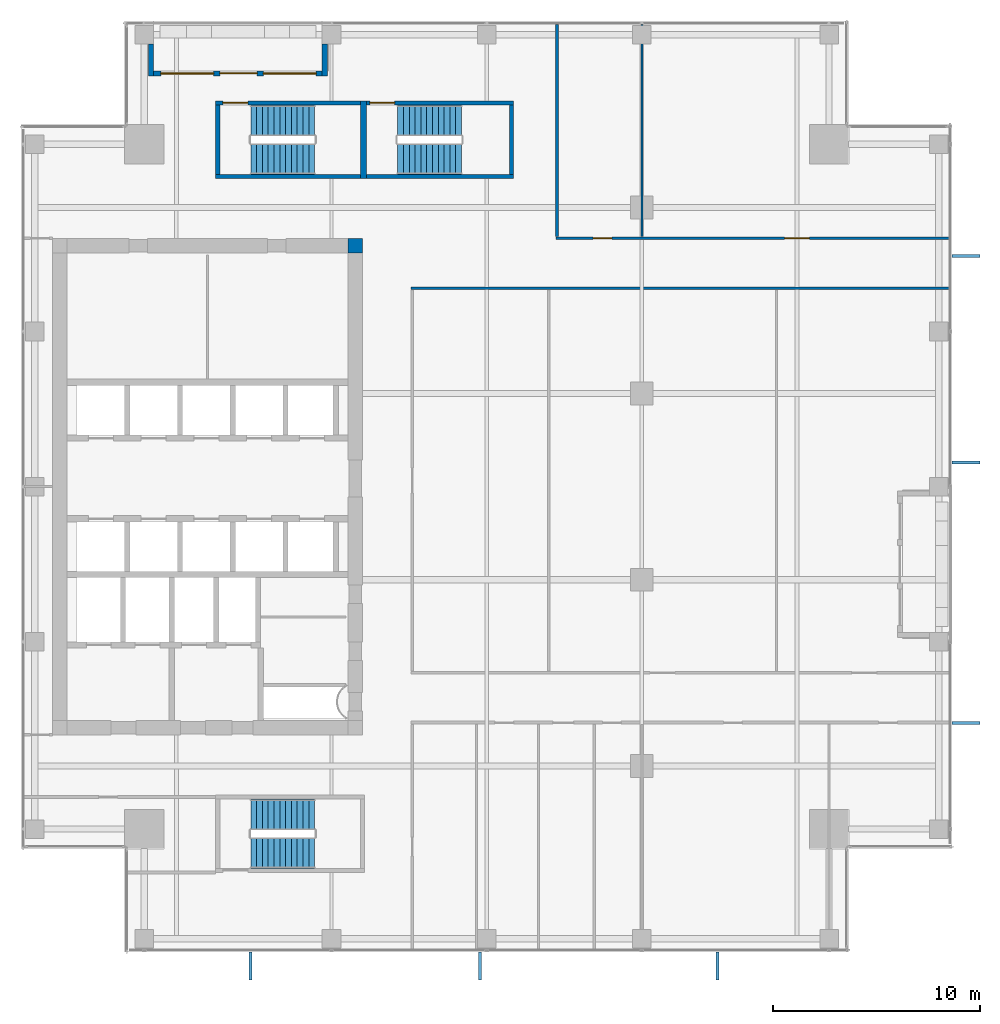
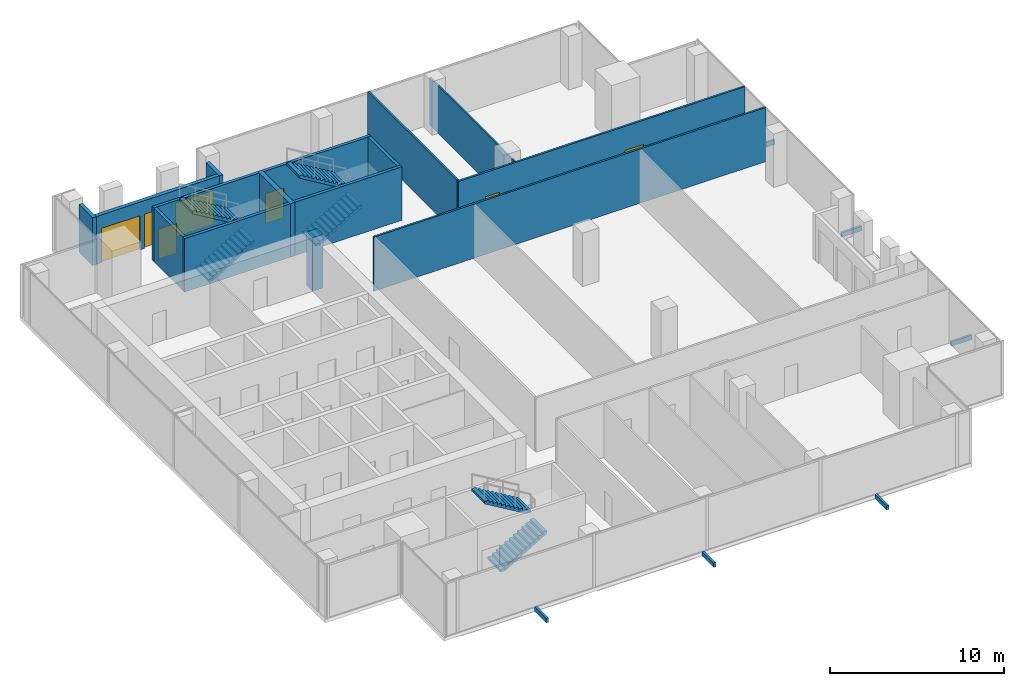
# One storey, part 33 of 36: 15 walls, 6 discrete accessories, 6 stair flights, 5 doors, 2 windows, 7 openings, 3 elements without a shape of their own.
"""IFC4 building model written with IfcOpenShell, lengths in metres."""

from ifc_helpers import new_model, si_unit, direction, frame, frame_2d, origin, origin_2d, place, context, subcontext, project, spatial, polyline, rectangle, outline, extrude, source, transform, mapped, material, layer, layer_set, type_object, element, fill, aggregate, save


model = new_model("IFC4")

# Units and contexts
model_context = context("Model", 3, precision=1e-05, world=origin(), true_north=direction((0.0, 1.0)))
body_context = subcontext(model_context, "Body", "Model", "MODEL_VIEW")
ifc_project = project(units=[si_unit("LENGTHUNIT", "METRE"), si_unit("AREAUNIT", "SQUARE_METRE"), si_unit("VOLUMEUNIT", "CUBIC_METRE"), si_unit("PLANEANGLEUNIT", "RADIAN"), si_unit("MASSUNIT", "GRAM", prefix="KILO")], contexts=[model_context])

# Site, building, storey
site_placement = place(None, origin())
site = spatial("IfcSite", under=ifc_project, at=site_placement, CompositionType="ELEMENT")
building_placement = place(site_placement, origin())
building = spatial("IfcBuilding", under=site, at=building_placement, Name="Khomas Fold Tower", CompositionType="ELEMENT")
storey_placement = place(building_placement, frame((0.0, 0.0, 230.199951171875)))
storey = spatial("IfcBuildingStorey", under=building, at=storey_placement, Name="L51", CompositionType="ELEMENT", Elevation=230.199951171875)

# Wall, opening, door
ifc_material_1 = material(Name="Concrete C50/60", Category="concrete")
ifc_layer_1 = layer(ifc_material_1, 0.199951171875)
ifc_layer_set_1 = layer_set([ifc_layer_1], Name="Concrete C50/60")
wall_type_1 = type_object("IfcWallType", Name="Stair wall 200", PredefinedType="SHEAR", material=ifc_layer_set_1)
shared_shape_1 = source(origin(), body_context, "Body", "SweptSolid", [
    extrude(rectangle(XDim=7.0, YDim=0.199951171875, at=frame_2d((3.5, 0.0))), origin(), (0.0, 0.0, 1.0), 3.75),
])
wall_1_placement = place(storey_placement, frame((13.89990234375, 45.550048828125, 0.0), z_axis=(0.0, 0.0, 1.0), x_axis=(1.0, 0.0, 0.0)))
wall_1 = element("IfcWall", 1, at=wall_1_placement, inside=storey, type_object=wall_type_1, Name="Stair wall SW-ST1-N", PredefinedType="SHEAR", context=body_context, shape_type="MappedRepresentation", body=[
    mapped(shared_shape_1, transform((0.0, 0.0, 0.0))),
])
shared_shape_2 = source(origin(), body_context, "Body", "SweptSolid", [
    extrude(rectangle(XDim=1.199951171875, YDim=2.10009765625, at=frame_2d((0.60009765625, 1.050048828125))), frame((0.0, 0.10986328125, 0.0), z_axis=(0.0, -1.0, 0.0), x_axis=(1.0, 0.0, 0.0)), (0.0, 0.0, 1.0), 0.219970703125),
])
opening_1_placement = place(wall_1_placement, frame((0.35009765625, 0.0, 0.0)))
opening_1 = element("IfcOpeningElement", 2, at=opening_1_placement, cuts=wall_1, Name="Opening SD-ST1", PredefinedType="OPENING", context=body_context, shape_type="MappedRepresentation", body=[
    mapped(shared_shape_2, transform((0.0, 0.0, 0.0))),
])
ifc_material_2 = material(Name="Steel door leaf", Category="steel")
door_type_1 = type_object("IfcDoorType", Name="Stair door 1200x2100 left-hand", OperationType="SINGLE_SWING_LEFT", PredefinedType="DOOR", material=ifc_material_2)
shared_shape_3 = source(origin(), body_context, "Body", "SweptSolid", [
    extrude(rectangle(XDim=1.199951171875, YDim=2.10009765625, at=frame_2d((0.60009765625, 1.050048828125))), frame((0.0, 0.02490234375, 0.0), z_axis=(0.0, -1.0, 0.0), x_axis=(1.0, 0.0, 0.0)), (0.0, 0.0, 1.0), 0.050048828125),
])
door_1_placement = place(opening_1_placement, origin())
door_1 = element("IfcDoor", 3, at=door_1_placement, inside=storey, type_object=door_type_1, Name="Stair door", OperationType="SINGLE_SWING_LEFT", OverallHeight=2.10009765625, OverallWidth=1.199951171875, PredefinedType="DOOR", context=body_context, shape_type="MappedRepresentation", body=[
    mapped(shared_shape_3, transform((0.0, 0.0, 0.0))),
])
fill(opening_1, door_1)

# Wall
wall_2_placement = place(storey_placement, frame((13.89990234375, 42.0, 0.0), z_axis=(0.0, 0.0, 1.0), x_axis=(1.0, 0.0, 0.0)))
element("IfcWall", 4, at=wall_2_placement, inside=storey, type_object=wall_type_1, Name="Stair wall SW-ST1-S", PredefinedType="SHEAR", context=body_context, shape_type="MappedRepresentation", body=[
    mapped(shared_shape_1, transform((0.0, 0.0, 0.0))),
])

# Wall, opening, door
shared_shape_4 = source(origin(), body_context, "Body", "SweptSolid", [
    extrude(rectangle(XDim=7.10009765625, YDim=0.199951171875, at=frame_2d((3.550048828125, 0.0))), origin(), (0.0, 0.0, 1.0), 3.75),
])
wall_3_placement = place(storey_placement, frame((21.199951171875, 45.550048828125, 0.0), z_axis=(0.0, 0.0, 1.0), x_axis=(1.0, 0.0, 0.0)))
wall_3 = element("IfcWall", 5, at=wall_3_placement, inside=storey, type_object=wall_type_1, Name="Stair wall SW-ST3-N", PredefinedType="SHEAR", context=body_context, shape_type="MappedRepresentation", body=[
    mapped(shared_shape_4, transform((0.0, 0.0, 0.0))),
])
opening_2_placement = place(wall_3_placement, frame((0.14990234375, 0.0, 0.0)))
opening_2 = element("IfcOpeningElement", 6, at=opening_2_placement, cuts=wall_3, Name="Opening SD-ST3", PredefinedType="OPENING", context=body_context, shape_type="MappedRepresentation", body=[
    mapped(shared_shape_2, transform((0.0, 0.0, 0.0))),
])
door_2_placement = place(opening_2_placement, origin())
door_2 = element("IfcDoor", 7, at=door_2_placement, inside=storey, type_object=door_type_1, Name="Stair door", OperationType="SINGLE_SWING_LEFT", OverallHeight=2.10009765625, OverallWidth=1.199951171875, PredefinedType="DOOR", context=body_context, shape_type="MappedRepresentation", body=[
    mapped(shared_shape_3, transform((0.0, 0.0, 0.0))),
])
fill(opening_2, door_2)

# Walls
wall_4_placement = place(storey_placement, frame((21.199951171875, 42.0, 0.0), z_axis=(0.0, 0.0, 1.0), x_axis=(1.0, 0.0, 0.0)))
element("IfcWall", 8, at=wall_4_placement, inside=storey, type_object=wall_type_1, Name="Stair wall SW-ST3-S", PredefinedType="SHEAR", context=body_context, shape_type="MappedRepresentation", body=[
    mapped(shared_shape_4, transform((0.0, 0.0, 0.0))),
])
ifc_material_3 = material(Name="Concrete C50/60", Category="concrete")
ifc_layer_2 = layer(ifc_material_3, 0.300048828125)
ifc_layer_set_2 = layer_set([ifc_layer_2], Name="Concrete C50/60")
wall_type_2 = type_object("IfcWallType", Name="Stair wall 300", PredefinedType="SHEAR", material=ifc_layer_set_2)
shared_shape_5 = source(origin(), body_context, "Body", "SweptSolid", [
    extrude(rectangle(XDim=3.75, YDim=0.300048828125, at=frame_2d((1.875, 0.0))), origin(), (0.0, 0.0, 1.0), 3.75),
])
wall_5_placement = place(storey_placement, frame((21.050048828125, 41.89990234375, 0.0), z_axis=(0.0, 0.0, 1.0), x_axis=(0.0, 1.0, 0.0)))
element("IfcWall", 9, at=wall_5_placement, inside=storey, type_object=wall_type_2, Name="Stair wall SW-ST1-E", PredefinedType="SHEAR", context=body_context, shape_type="MappedRepresentation", body=[
    mapped(shared_shape_5, transform((0.0, 0.0, 0.0))),
])
shared_shape_6 = source(origin(), body_context, "Body", "SweptSolid", [
    extrude(rectangle(XDim=3.349853515625, YDim=0.199951171875, at=frame_2d((1.6748046875, 0.0))), origin(), (0.0, 0.0, 1.0), 3.75),
])
for number, where, z_axis, x_axis, name in (
    (10, (14.0, 42.10009765625, 0.0), (0.0, 0.0, 1.0), (0.0, 1.0, 0.0), "Stair wall SW-ST1-W"),
    (11, (28.199951171875, 42.10009765625, 0.0), (0.0, 0.0, 1.0), (0.0, 1.0, 0.0), "Stair wall SW-ST3-E"),
):
    element("IfcWall", number, at=place(storey_placement, frame(where, z_axis=z_axis, x_axis=x_axis)), inside=storey, type_object=wall_type_1, Name=name, PredefinedType="SHEAR", context=body_context, shape_type="MappedRepresentation", body=[
        mapped(shared_shape_6, transform((0.0, 0.0, 0.0))),
    ])
ifc_material_4 = material(Name="Concrete C60/75", Category="concrete")
ifc_layer_3 = layer(ifc_material_4, 0.699951171875)
ifc_layer_set_3 = layer_set([ifc_layer_3], Name="Concrete C60/75")
wall_type_3 = type_object("IfcWallType", Name="Core corner wall 700", PredefinedType="SHEAR", material=ifc_layer_set_3)
shared_shape_7 = source(origin(), body_context, "Body", "SweptSolid", [
    extrude(rectangle(XDim=0.699951171875, YDim=0.699951171875, at=frame_2d((0.35009765625, 0.0))), origin(), (0.0, 0.0, 1.0), 3.75),
])
wall_6_placement = place(storey_placement, frame((20.300048828125, 38.64990234375, 0.0), z_axis=(0.0, 0.0, 1.0), x_axis=(1.0, 0.0, 0.0)))
element("IfcWall", 12, at=wall_6_placement, inside=storey, type_object=wall_type_3, Name="Core wall CW-U-NE-L49", PredefinedType="SHEAR", context=body_context, shape_type="MappedRepresentation", body=[
    mapped(shared_shape_7, transform((0.0, 0.0, 0.0))),
])

# Wall, openings, door, windows
ifc_material_5 = material(Name="Natural stone", Category="masonry")
ifc_layer_4 = layer(ifc_material_5, 0.0400390625)
ifc_material_6 = material(Name="Mineral wool insulation", Category="insulation")
ifc_layer_5 = layer(ifc_material_6, 0.10009765625)
ifc_material_7 = material(Name="Masonry", Category="masonry")
ifc_layer_6 = layer(ifc_material_7, 0.110107421875)
ifc_layer_set_4 = layer_set([ifc_layer_4, ifc_layer_5, ifc_layer_6], Name="Stone-faced insulated masonry")
wall_type_4 = type_object("IfcWallType", Name="BL-Balcony wall", PredefinedType="SOLIDWALL", material=ifc_layer_set_4)
shared_shape_8 = source(origin(), body_context, "Body", "SweptSolid", [
    extrude(rectangle(XDim=8.150146484375, YDim=0.25, at=frame_2d((4.0751953125, 0.0))), origin(), (0.0, 0.0, 1.0), 3.35009765625),
])
wall_7_placement = place(storey_placement, frame((10.89990234375, 46.97509765625, 0.0), z_axis=(0.0, 0.0, 1.0), x_axis=(1.0, 0.0, 0.0)))
wall_7 = element("IfcWall", 13, at=wall_7_placement, inside=storey, type_object=wall_type_4, Name="Balcony wall BAL-L51-N1", PredefinedType="SOLIDWALL", context=body_context, shape_type="MappedRepresentation", body=[
    mapped(shared_shape_8, transform((0.0, 0.0, 0.0))),
])
shared_shape_9 = source(origin(), body_context, "Body", "SweptSolid", [
    extrude(rectangle(XDim=2.550048828125, YDim=2.39990234375, at=frame_2d((1.27490234375, 1.199951171875))), frame((0.0, 0.135009765625, 0.0), z_axis=(0.0, -1.0, 0.0), x_axis=(1.0, 0.0, 0.0)), (0.0, 0.0, 1.0), 0.27001953125),
])
opening_3_placement = place(wall_7_placement, frame((0.35009765625, 0.0, 0.0)))
opening_3 = element("IfcOpeningElement", 14, at=opening_3_placement, cuts=wall_7, Name="Opening BL-W4", PredefinedType="OPENING", context=body_context, shape_type="MappedRepresentation", body=[
    mapped(shared_shape_9, transform((0.0, 0.0, 0.0))),
])
opening_4_placement = place(wall_7_placement, frame((5.300048828125, 0.0, 0.0)))
opening_4 = element("IfcOpeningElement", 15, at=opening_4_placement, cuts=wall_7, Name="Opening BL-W4", PredefinedType="OPENING", context=body_context, shape_type="MappedRepresentation", body=[
    mapped(shared_shape_9, transform((0.0, 0.0, 0.0))),
])
shared_shape_10 = source(origin(), body_context, "Body", "SweptSolid", [
    extrude(rectangle(XDim=1.800048828125, YDim=2.39990234375, at=frame_2d((0.89990234375, 1.199951171875))), frame((0.0, 0.135009765625, 0.0), z_axis=(0.0, -1.0, 0.0), x_axis=(1.0, 0.0, 0.0)), (0.0, 0.0, 1.0), 0.27001953125),
])
opening_5_placement = place(wall_7_placement, frame((3.199951171875, 0.0, 0.0)))
opening_5 = element("IfcOpeningElement", 16, at=opening_5_placement, cuts=wall_7, Name="Opening BD511", PredefinedType="OPENING", context=body_context, shape_type="MappedRepresentation", body=[
    mapped(shared_shape_10, transform((0.0, 0.0, 0.0))),
])
ifc_material_8 = material(Name="Aluminium framed double glazing", Category="aluminium")
door_type_2 = type_object("IfcDoorType", Name="BL-Glazed balcony door 1800 x 2400", OperationType="DOUBLE_DOOR_DOUBLE_SWING", PredefinedType="DOOR", material=ifc_material_8)
shared_shape_11 = source(origin(), body_context, "Body", "SweptSolid", [
    extrude(rectangle(XDim=1.800048828125, YDim=2.39990234375, at=frame_2d((0.89990234375, 1.199951171875))), frame((0.0, 0.02490234375, 0.0), z_axis=(0.0, -1.0, 0.0), x_axis=(1.0, 0.0, 0.0)), (0.0, 0.0, 1.0), 0.050048828125),
])
door_3_placement = place(opening_5_placement, origin())
door_3 = element("IfcDoor", 17, at=door_3_placement, inside=storey, type_object=door_type_2, Name="Balcony door BD511", OperationType="DOUBLE_DOOR_DOUBLE_SWING", OverallHeight=2.39990234375, OverallWidth=1.800048828125, PredefinedType="DOOR", context=body_context, shape_type="MappedRepresentation", body=[
    mapped(shared_shape_11, transform((0.0, 0.0, 0.0))),
])
fill(opening_5, door_3)
ifc_material_9 = material(Name="Aluminium framed double glazing", Category="aluminium")
window_type = type_object("IfcWindowType", Name="BL-Fixed glazing 2550 x 2400", PartitioningType="SINGLE_PANEL", PredefinedType="WINDOW", material=ifc_material_9)
shared_shape_12 = source(origin(), body_context, "Body", "SweptSolid", [
    extrude(rectangle(XDim=2.550048828125, YDim=2.39990234375, at=frame_2d((1.27490234375, 1.199951171875))), frame((0.0, 0.030029296875, 0.0), z_axis=(0.0, -1.0, 0.0), x_axis=(1.0, 0.0, 0.0)), (0.0, 0.0, 1.0), 0.06005859375),
])
window_1_placement = place(opening_3_placement, origin())
window_1 = element("IfcWindow", 18, at=window_1_placement, inside=storey, type_object=window_type, Name="Balcony glazing BAL-L51-N1-1", OverallHeight=2.39990234375, OverallWidth=2.550048828125, PartitioningType="SINGLE_PANEL", PredefinedType="WINDOW", context=body_context, shape_type="MappedRepresentation", body=[
    mapped(shared_shape_12, transform((0.0, 0.0, 0.0))),
])
fill(opening_3, window_1)
window_2_placement = place(opening_4_placement, origin())
window_2 = element("IfcWindow", 19, at=window_2_placement, inside=storey, type_object=window_type, Name="Balcony glazing BAL-L51-N1-2", OverallHeight=2.39990234375, OverallWidth=2.550048828125, PartitioningType="SINGLE_PANEL", PredefinedType="WINDOW", context=body_context, shape_type="MappedRepresentation", body=[
    mapped(shared_shape_12, transform((0.0, 0.0, 0.0))),
])
fill(opening_4, window_2)

# Walls
shared_shape_13 = source(origin(), body_context, "Body", "SweptSolid", [
    extrude(rectangle(XDim=1.5498046875, YDim=0.25, at=frame_2d((0.77490234375, 0.0))), origin(), (0.0, 0.0, 1.0), 3.35009765625),
])
for number, where, z_axis, x_axis, name in (
    (20, (10.77490234375, 48.39990234375, 0.0), (0.0, 0.0, 1.0), (0.0, -1.0, 0.0), "Balcony return wall BAL-L51-N1-lo"),
    (21, (19.175048828125, 48.39990234375, 0.0), (0.0, 0.0, 1.0), (0.0, -1.0, 0.0), "Balcony return wall BAL-L51-N1-hi"),
):
    element("IfcWall", number, at=place(storey_placement, frame(where, z_axis=z_axis, x_axis=x_axis)), inside=storey, type_object=wall_type_4, Name=name, PredefinedType="SOLIDWALL", context=body_context, shape_type="MappedRepresentation", body=[
        mapped(shared_shape_13, transform((0.0, 0.0, 0.0))),
    ])
ifc_material_10 = material(Name="Plasterboard partition")
ifc_layer_7 = layer(ifc_material_10, 0.125)
ifc_layer_set_5 = layer_set([ifc_layer_7], Name="Plasterboard partition")
wall_type_5 = type_object("IfcWallType", Name="Partition PW2 125", PredefinedType="PARTITIONING", material=ifc_layer_set_5)
shared_shape_14 = source(origin(), body_context, "Body", "SweptSolid", [
    extrude(rectangle(XDim=26.0, YDim=0.125, at=frame_2d((13.0, 0.0))), origin(), (0.0, 0.0, 1.0), 3.800048828125),
])
wall_8_placement = place(storey_placement, frame((23.35009765625, 36.60009765625, 0.0), z_axis=(0.0, 0.0, 1.0), x_axis=(1.0, 0.0, 0.0)))
element("IfcWall", 22, at=wall_8_placement, inside=storey, type_object=wall_type_5, Name="Partition", PredefinedType="PARTITIONING", context=body_context, shape_type="MappedRepresentation", body=[
    mapped(shared_shape_14, transform((0.0, 0.0, 0.0))),
])

# Wall, openings, doors
shared_shape_15 = source(origin(), body_context, "Body", "SweptSolid", [
    extrude(rectangle(XDim=19.0, YDim=0.125, at=frame_2d((9.5, 0.0))), origin(), (0.0, 0.0, 1.0), 3.800048828125),
])
wall_9_placement = place(storey_placement, frame((30.35009765625, 39.0, 0.0), z_axis=(0.0, 0.0, 1.0), x_axis=(1.0, 0.0, 0.0)))
wall_9 = element("IfcWall", 23, at=wall_9_placement, inside=storey, type_object=wall_type_5, Name="Partition", PredefinedType="PARTITIONING", context=body_context, shape_type="MappedRepresentation", body=[
    mapped(shared_shape_15, transform((0.0, 0.0, 0.0))),
])
shared_shape_16 = source(origin(), body_context, "Body", "SweptSolid", [
    extrude(rectangle(XDim=0.89990234375, YDim=2.10009765625, at=frame_2d((0.449951171875, 1.050048828125))), frame((0.0, 0.072509765625, 0.0), z_axis=(0.0, -1.0, 0.0), x_axis=(1.0, 0.0, 0.0)), (0.0, 0.0, 1.0), 0.14501953125),
])
opening_6_placement = place(wall_9_placement, frame((1.800048828125, 0.0, 0.0)))
opening_6 = element("IfcOpeningElement", 24, at=opening_6_placement, cuts=wall_9, Name="Opening 0007", PredefinedType="OPENING", context=body_context, shape_type="MappedRepresentation", body=[
    mapped(shared_shape_16, transform((0.0, 0.0, 0.0))),
])
shared_shape_17 = source(origin(), body_context, "Body", "SweptSolid", [
    extrude(rectangle(XDim=1.199951171875, YDim=2.10009765625, at=frame_2d((0.60009765625, 1.050048828125))), frame((0.0, 0.072509765625, 0.0), z_axis=(0.0, -1.0, 0.0), x_axis=(1.0, 0.0, 0.0)), (0.0, 0.0, 1.0), 0.14501953125),
])
opening_7_placement = place(wall_9_placement, frame((11.050048828125, 0.0, 0.0)))
opening_7 = element("IfcOpeningElement", 25, at=opening_7_placement, cuts=wall_9, Name="Opening 0013", PredefinedType="OPENING", context=body_context, shape_type="MappedRepresentation", body=[
    mapped(shared_shape_17, transform((0.0, 0.0, 0.0))),
])
ifc_material_11 = material(Name="Timber door leaf", Category="wood")
door_type_3 = type_object("IfcDoorType", Name="Door 900x2100 left-hand", OperationType="SINGLE_SWING_LEFT", PredefinedType="DOOR", material=ifc_material_11)
shared_shape_18 = source(origin(), body_context, "Body", "SweptSolid", [
    extrude(rectangle(XDim=0.89990234375, YDim=2.10009765625, at=frame_2d((0.449951171875, 1.050048828125))), frame((0.0, 0.02490234375, 0.0), z_axis=(0.0, -1.0, 0.0), x_axis=(1.0, 0.0, 0.0)), (0.0, 0.0, 1.0), 0.050048828125),
])
door_4_placement = place(opening_6_placement, origin())
door_4 = element("IfcDoor", 26, at=door_4_placement, inside=storey, type_object=door_type_3, Name="Door", OperationType="SINGLE_SWING_LEFT", OverallHeight=2.10009765625, OverallWidth=0.89990234375, PredefinedType="DOOR", context=body_context, shape_type="MappedRepresentation", body=[
    mapped(shared_shape_18, transform((0.0, 0.0, 0.0))),
])
fill(opening_6, door_4)
ifc_material_12 = material(Name="Timber door leaf", Category="wood")
door_type_4 = type_object("IfcDoorType", Name="Door 1200x2100 left-hand", OperationType="SINGLE_SWING_LEFT", PredefinedType="DOOR", material=ifc_material_12)
door_5_placement = place(opening_7_placement, origin())
door_5 = element("IfcDoor", 27, at=door_5_placement, inside=storey, type_object=door_type_4, Name="Door", OperationType="SINGLE_SWING_LEFT", OverallHeight=2.10009765625, OverallWidth=1.199951171875, PredefinedType="DOOR", context=body_context, shape_type="MappedRepresentation", body=[
    mapped(shared_shape_3, transform((0.0, 0.0, 0.0))),
])
fill(opening_7, door_5)

# Walls
shared_shape_19 = source(origin(), body_context, "Body", "SweptSolid", [
    extrude(rectangle(XDim=10.25, YDim=0.125, at=frame_2d((5.125, 0.0))), origin(), (0.0, 0.0, 1.0), 3.800048828125),
])
wall_10_placement = place(storey_placement, frame((30.39990234375, 39.10009765625, 0.0), z_axis=(0.0, 0.0, 1.0), x_axis=(0.0, 1.0, 0.0)))
element("IfcWall", 28, at=wall_10_placement, inside=storey, type_object=wall_type_5, Name="Partition", PredefinedType="PARTITIONING", context=body_context, shape_type="MappedRepresentation", body=[
    mapped(shared_shape_19, transform((0.0, 0.0, 0.0))),
])
ifc_material_13 = material(Name="Plasterboard partition")
ifc_layer_8 = layer(ifc_material_13, 0.10009765625)
ifc_layer_set_6 = layer_set([ifc_layer_8], Name="Plasterboard partition")
wall_type_6 = type_object("IfcWallType", Name="Partition PW1 100", PredefinedType="PARTITIONING", material=ifc_layer_set_6)
shared_shape_20 = source(origin(), body_context, "Body", "SweptSolid", [
    extrude(rectangle(XDim=10.25, YDim=0.10009765625, at=frame_2d((5.125, 0.0))), origin(), (0.0, 0.0, 1.0), 3.35009765625),
])
wall_11_placement = place(storey_placement, frame((34.5, 39.10009765625, 0.0), z_axis=(0.0, 0.0, 1.0), x_axis=(0.0, 1.0, 0.0)))
element("IfcWall", 29, at=wall_11_placement, inside=storey, type_object=wall_type_6, Name="Partition", PredefinedType="PARTITIONING", context=body_context, shape_type="MappedRepresentation", body=[
    mapped(shared_shape_20, transform((0.0, 0.0, 0.0))),
])

# Stair, stair flights
ifc_material_14 = material(Name="Concrete C40/50", Category="concrete")
stair_type_1 = type_object("IfcStairType", Name="Stair ST1", PredefinedType="HALF_TURN_STAIR", material=ifc_material_14)
stair_1_placement = place(storey_placement, origin())
stair_1 = element("IfcStair", 30, at=stair_1_placement, inside=storey, type_object=stair_type_1, Name="L51 ST1", PredefinedType="HALF_TURN_STAIR")
ifc_material_15 = material(Name="Concrete C40/50", Category="concrete")
stair_flight_type_1 = type_object("IfcStairFlightType", Name="Stair flight 1500 ST1", PredefinedType="STRAIGHT", material=ifc_material_15)
shared_shape_21 = source(origin(), body_context, "Body", "SweptSolid", [
    extrude(outline(polyline([(0.0, 0.0), (0.0, 0.012939453125), (0.0, 0.025634765625), (0.0, 0.03857421875), (0.0, 0.05126953125), (0.0, 0.064208984375), (0.0, 0.076904296875), (0.0, 0.08984375), (0.0, 0.1025390625), (0.0, 0.115478515625), (0.0, 0.128173828125), (0.0, 0.14111328125), (0.0, 0.15380859375), (0.0, 0.166748046875), (0.280029296875, 0.166748046875), (0.280029296875, 0.333251953125), (0.56005859375, 0.333251953125), (0.56005859375, 0.5), (0.840087890625, 0.5), (0.840087890625, 0.666748046875), (1.1201171875, 0.666748046875), (1.1201171875, 0.833251953125), (1.39990234375, 0.833251953125), (1.39990234375, 1.0), (1.679931640625, 1.0), (1.679931640625, 1.166748046875), (1.9599609375, 1.166748046875), (1.9599609375, 1.333251953125), (2.239990234375, 1.333251953125), (2.239990234375, 1.5), (2.52001953125, 1.5), (2.52001953125, 1.666748046875), (2.800048828125, 1.666748046875), (2.800048828125, 1.833251953125), (3.080078125, 1.833251953125), (3.080078125, 2.0), (3.080078125, 1.973876953125), (3.080078125, 1.947509765625), (3.080078125, 1.92138671875), (3.080078125, 1.89501953125), (3.080078125, 1.868896484375), (3.080078125, 1.842529296875), (3.080078125, 1.81640625), (3.080078125, 1.7900390625), (3.080078125, 1.763916015625), (3.080078125, 1.737548828125), (3.080078125, 1.71142578125), (3.080078125, 1.68505859375), (3.080078125, 1.658935546875), (0.29296875, 0.0), (0.0, 0.0)])), frame((0.0, 0.75, 0.0), z_axis=(0.0, -1.0, 0.0), x_axis=(1.0, 0.0, 0.0)), (0.0, 0.0, 1.0), 1.5),
])
stair_flight_1_placement = place(storey_placement, frame((15.60009765625, 42.85009765625, 0.0), z_axis=(0.0, 0.0, 1.0), x_axis=(1.0, 0.0, 0.0)))
stair_flight_1 = element("IfcStairFlight", 31, at=stair_flight_1_placement, type_object=stair_flight_type_1, Name="ST1 flight 1", NumberOfRisers=12, NumberOfTreads=11, PredefinedType="STRAIGHT", RiserHeight=0.166666667, TreadLength=0.28, context=body_context, shape_type="MappedRepresentation", body=[
    mapped(shared_shape_21, transform((0.0, 0.0, 0.0))),
])
stair_flight_2_placement = place(storey_placement, frame((18.679931640625, 44.699951171875, 2.0), z_axis=(0.0, 0.0, 1.0), x_axis=(-1.0, 0.0, 0.0)))
stair_flight_2 = element("IfcStairFlight", 32, at=stair_flight_2_placement, type_object=stair_flight_type_1, Name="ST1 flight 2", NumberOfRisers=12, NumberOfTreads=11, PredefinedType="STRAIGHT", RiserHeight=0.166666667, TreadLength=0.28, context=body_context, shape_type="MappedRepresentation", body=[
    mapped(shared_shape_21, transform((0.0, 0.0, 0.0))),
])
aggregate(stair_1, [stair_flight_1, stair_flight_2])

ifc_material_16 = material(Name="Concrete C40/50", Category="concrete")
stair_type_2 = type_object("IfcStairType", Name="Stair ST2", PredefinedType="HALF_TURN_STAIR", material=ifc_material_16)
stair_2_placement = place(storey_placement, origin())
stair_2 = element("IfcStair", 33, at=stair_2_placement, inside=storey, type_object=stair_type_2, Name="L51 ST2", PredefinedType="HALF_TURN_STAIR")
ifc_material_17 = material(Name="Concrete C40/50", Category="concrete")
stair_flight_type_2 = type_object("IfcStairFlightType", Name="Stair flight 1500 ST2", PredefinedType="STRAIGHT", material=ifc_material_17)
stair_flight_3_placement = place(storey_placement, frame((15.60009765625, 9.300048828125, 0.0), z_axis=(0.0, 0.0, 1.0), x_axis=(1.0, 0.0, 0.0)))
stair_flight_3 = element("IfcStairFlight", 34, at=stair_flight_3_placement, type_object=stair_flight_type_2, Name="ST2 flight 1", NumberOfRisers=12, NumberOfTreads=11, PredefinedType="STRAIGHT", RiserHeight=0.166666667, TreadLength=0.28, context=body_context, shape_type="MappedRepresentation", body=[
    mapped(shared_shape_21, transform((0.0, 0.0, 0.0))),
])
stair_flight_4_placement = place(storey_placement, frame((18.679931640625, 11.14990234375, 2.0), z_axis=(0.0, 0.0, 1.0), x_axis=(-1.0, 0.0, 0.0)))
stair_flight_4 = element("IfcStairFlight", 35, at=stair_flight_4_placement, type_object=stair_flight_type_2, Name="ST2 flight 2", NumberOfRisers=12, NumberOfTreads=11, PredefinedType="STRAIGHT", RiserHeight=0.166666667, TreadLength=0.28, context=body_context, shape_type="MappedRepresentation", body=[
    mapped(shared_shape_21, transform((0.0, 0.0, 0.0))),
])
aggregate(stair_2, [stair_flight_3, stair_flight_4])

ifc_material_18 = material(Name="Concrete C40/50", Category="concrete")
stair_type_3 = type_object("IfcStairType", Name="Stair ST3", PredefinedType="HALF_TURN_STAIR", material=ifc_material_18)
stair_3_placement = place(storey_placement, origin())
stair_3 = element("IfcStair", 36, at=stair_3_placement, inside=storey, type_object=stair_type_3, Name="L51 ST3", PredefinedType="HALF_TURN_STAIR")
ifc_material_19 = material(Name="Concrete C40/50", Category="concrete")
stair_flight_type_3 = type_object("IfcStairFlightType", Name="Stair flight 1500 ST3", PredefinedType="STRAIGHT", material=ifc_material_19)
stair_flight_5_placement = place(storey_placement, frame((22.699951171875, 42.85009765625, 0.0), z_axis=(0.0, 0.0, 1.0), x_axis=(1.0, 0.0, 0.0)))
stair_flight_5 = element("IfcStairFlight", 37, at=stair_flight_5_placement, type_object=stair_flight_type_3, Name="ST3 flight 1", NumberOfRisers=12, NumberOfTreads=11, PredefinedType="STRAIGHT", RiserHeight=0.166666667, TreadLength=0.28, context=body_context, shape_type="MappedRepresentation", body=[
    mapped(shared_shape_21, transform((0.0, 0.0, 0.0))),
])
stair_flight_6_placement = place(storey_placement, frame((25.780029296875, 44.699951171875, 2.0), z_axis=(0.0, 0.0, 1.0), x_axis=(-1.0, 0.0, 0.0)))
stair_flight_6 = element("IfcStairFlight", 38, at=stair_flight_6_placement, type_object=stair_flight_type_3, Name="ST3 flight 2", NumberOfRisers=12, NumberOfTreads=11, PredefinedType="STRAIGHT", RiserHeight=0.166666667, TreadLength=0.28, context=body_context, shape_type="MappedRepresentation", body=[
    mapped(shared_shape_21, transform((0.0, 0.0, 0.0))),
])
aggregate(stair_3, [stair_flight_5, stair_flight_6])

# Discrete accessories
ifc_material_20 = material(Name="Stainless steel", Category="steel")
discrete_accessory_type = type_object("IfcDiscreteAccessoryType", Name="SK-Stainless steel stone bracket", PredefinedType="BRACKET", material=ifc_material_20)
shared_shape_22 = source(origin(), body_context, "Body", "SweptSolid", [
    extrude(rectangle(XDim=1.345947265625, YDim=0.14990234375, at=origin_2d()), origin(), (0.0, 0.0, 1.0), 0.31005859375),
])
for number, where, z_axis, x_axis, name in (
    (39, (15.572998046875, 3.8271484375, -0.25), (0.0, 0.0, 1.0), (0.0, -1.0, 0.0), "Stone bracket L51 SS03-1-3"),
    (40, (26.675048828125, 3.8271484375, -0.25), (0.0, 0.0, 1.0), (0.0, -1.0, 0.0), "Stone bracket L51 SS06-2-3"),
    (41, (38.15234375, 3.8271484375, -0.25), (0.0, 0.0, 1.0), (0.0, -1.0, 0.0), "Stone bracket L51 SS09-3-3"),
    (42, (50.1728515625, 15.572998046875, -0.25), (0.0, 0.0, 1.0), (1.0, 0.0, 0.0), "Stone bracket L51 ES03-1-3"),
    (43, (50.1728515625, 28.17626953125, -0.25), (0.0, 0.0, 1.0), (1.0, 0.0, 0.0), "Stone bracket L51 ES06-2-3"),
    (44, (50.1728515625, 38.15234375, -0.25), (0.0, 0.0, 1.0), (1.0, 0.0, 0.0), "Stone bracket L51 ES09-3-3"),
):
    element("IfcDiscreteAccessory", number, at=place(storey_placement, frame(where, z_axis=z_axis, x_axis=x_axis)), inside=storey, type_object=discrete_accessory_type, Name=name, PredefinedType="BRACKET", context=body_context, shape_type="MappedRepresentation", body=[
        mapped(shared_shape_22, transform((0.0, 0.0, 0.0))),
    ])

save(model, "model.ifc")
